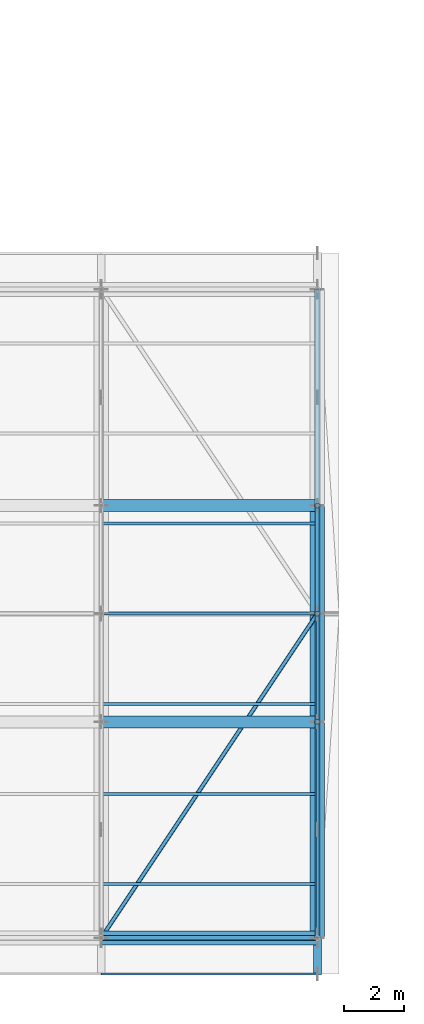
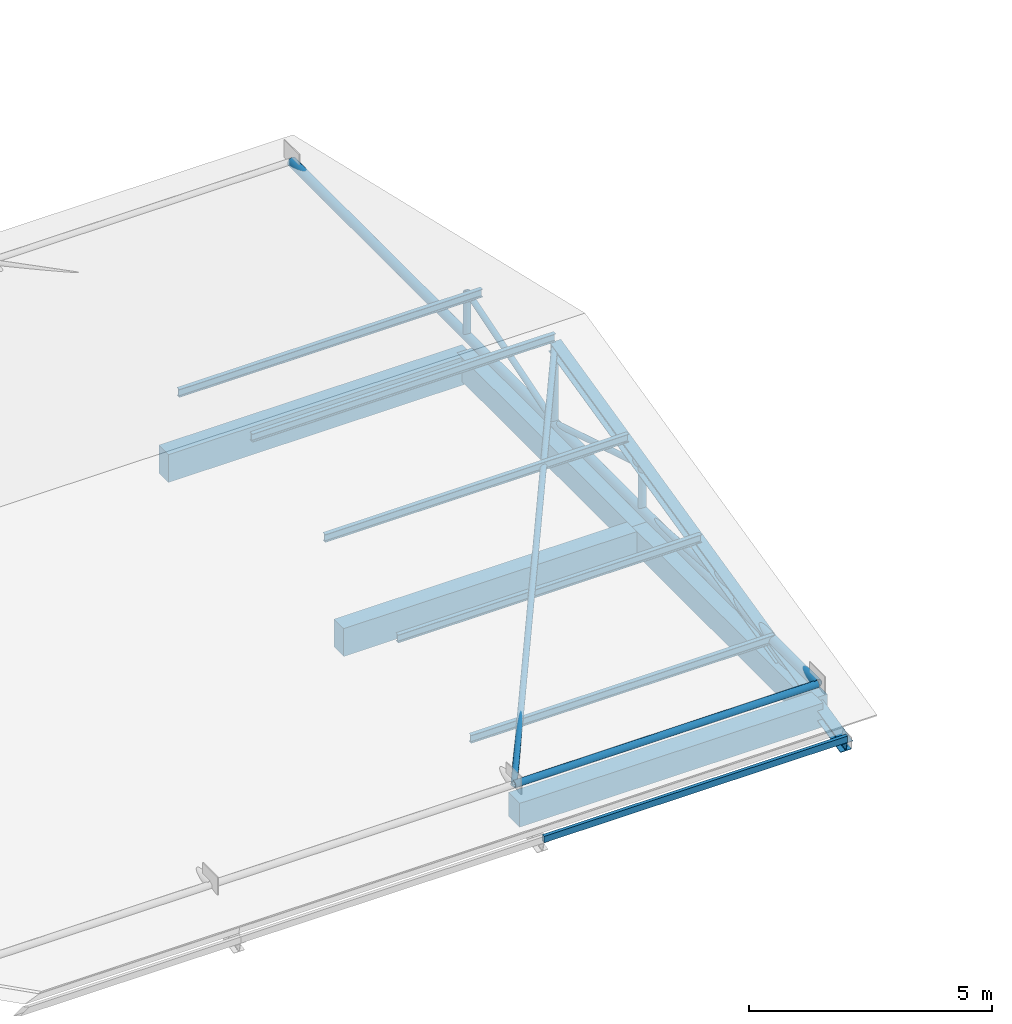
# One storey, part 20 of 84: 17 members, 5 beams.
"""IFC4 building model written with IfcOpenShell, lengths in metres."""

import ifcopenshell
import ifcopenshell.guid

model = None  # the IFC model being written
_history = None  # IfcOwnerHistory: only IFC2X3 demands one
_inside = {}  # id of a spatial element -> (the spatial element, [elements in it])
_under = {}  # id of a project, library or spatial element -> (it, [spatial elements below it])
_declared = {}  # id of a project -> (the project, [libraries it declares])
_typed = {}  # id of a type object -> (the type object, [elements of that type])
_made_of = {}  # id of a material, layer set ... -> (it, [elements and type objects made of it])


def new_model(schema):
    """Start an empty IFC model of exactly this schema.

    Asked for "IFC4X3", IfcOpenShell would pick the latest addendum, in which some entities
    have other attributes; the version numbers below select the first issue.
    IFC2X3 requires an IfcOwnerHistory on every rooted entity: one is made here for all.
    """
    global model, _history
    if schema == "IFC4X3":
        model = ifcopenshell.file(schema_version=(4, 3, 0, 0))
    else:
        model = ifcopenshell.file(schema=schema)
    _inside.clear()
    _under.clear()
    _declared.clear()
    _typed.clear()
    _made_of.clear()
    _history = None
    if model.schema == "IFC2X3":
        org = make("IfcOrganization", Name="unknown")
        user = make(
            "IfcPersonAndOrganization",
            ThePerson=make("IfcPerson", FamilyName="unknown"),
            TheOrganization=org,
        )
        app = make(
            "IfcApplication",
            ApplicationDeveloper=org,
            Version="unknown",
            ApplicationFullName="unknown",
            ApplicationIdentifier="unknown",
        )
        _history = make(
            "IfcOwnerHistory",
            OwningUser=user,
            OwningApplication=app,
            ChangeAction="ADDED",
            CreationDate=0,
        )
    return model


def make(cls, **values):
    """One entity of the class cls with the attributes given. An attribute that is None is left unset."""
    return model.create_entity(
        cls, **{name: value for name, value in values.items() if value is not None}
    )


def rooted(cls, **values):
    """An entity with a GlobalId (a new one), such as an element, a storey or a relation."""
    return make(cls, GlobalId=ifcopenshell.guid.new(), OwnerHistory=_history, **values)


def si_unit(unit_type, name, prefix=None):
    """IfcSIUnit, for example si_unit("LENGTHUNIT", "METRE", prefix="MILLI")."""
    return make("IfcSIUnit", UnitType=unit_type, Prefix=prefix, Name=name)


def assignment(units):
    """IfcUnitAssignment: the units of a project."""
    return None if units is None else make("IfcUnitAssignment", Units=units)


def point(xyz):
    """IfcCartesianPoint."""
    return None if xyz is None else make("IfcCartesianPoint", Coordinates=xyz)


def direction(xyz):
    """IfcDirection."""
    return None if xyz is None else make("IfcDirection", DirectionRatios=xyz)


def frame(location, z_axis=None, x_axis=None):
    """IfcAxis2Placement3D, a coordinate frame: its origin and axes. An axis left out is left unset."""
    return make(
        "IfcAxis2Placement3D",
        Location=point(location),
        Axis=direction(z_axis),
        RefDirection=direction(x_axis),
    )


def frame_2d(location, x_axis=None):
    """IfcAxis2Placement2D, a coordinate frame in the plane: its origin and x axis."""
    return make(
        "IfcAxis2Placement2D", Location=point(location), RefDirection=direction(x_axis)
    )


def origin():
    """The frame at (0, 0, 0) with its axes left unset."""
    return frame((0.0, 0.0, 0.0))


def origin_2d():
    """The frame at (0, 0) in the plane with its x axis left unset."""
    return frame_2d((0.0, 0.0))


def place(relative_to, where):
    """IfcLocalPlacement: puts the frame where relative to a parent placement (None: the world)."""
    return make(
        "IfcLocalPlacement", PlacementRelTo=relative_to, RelativePlacement=where
    )


def context(
    kind, dimensions, precision=None, world=None, true_north=None, identifier=None
):
    """IfcGeometricRepresentationContext, for example the 3D "Model" context."""
    return make(
        "IfcGeometricRepresentationContext",
        ContextIdentifier=identifier,
        ContextType=kind,
        CoordinateSpaceDimension=dimensions,
        Precision=precision,
        WorldCoordinateSystem=world,
        TrueNorth=true_north,
    )


def subcontext(parent, identifier, kind, view, scale=None):
    """IfcGeometricRepresentationSubContext, for example "Body" below "Model"."""
    return make(
        "IfcGeometricRepresentationSubContext",
        ContextIdentifier=identifier,
        ContextType=kind,
        ParentContext=parent,
        TargetScale=scale,
        TargetView=view,
    )


def project(units=None, contexts=None):
    """IfcProject with its units and contexts."""
    return rooted(
        "IfcProject",
        Name="project",
        RepresentationContexts=contexts,
        UnitsInContext=assignment(units),
    )


def spatial(cls, under=None, at=None, **own):
    """A site, building, storey or space (cls), placed at a placement, below another one or the project."""
    s = rooted(cls, ObjectPlacement=at, **own)
    if under is not None:
        _under.setdefault(under.id(), (under, []))[1].append(s)
    return s


def profile(cls, at=None, kind="AREA", **sizes):
    """A parametric profile (cls). Its sizes go by their IFC names, for example OverallWidth=200.0."""
    return make(cls, ProfileType=kind, Position=at, **sizes)


def rectangle(**sizes):
    """IfcRectangleProfileDef."""
    return profile("IfcRectangleProfileDef", **sizes)


def hollow_rectangle(**sizes):
    """IfcRectangleHollowProfileDef."""
    return profile("IfcRectangleHollowProfileDef", **sizes)


def hollow_circle(**sizes):
    """IfcCircleHollowProfileDef."""
    return profile("IfcCircleHollowProfileDef", **sizes)


def i_section(**sizes):
    """IfcIShapeProfileDef."""
    return profile("IfcIShapeProfileDef", **sizes)


def extrude(swept, where, along, depth):
    """IfcExtrudedAreaSolid: the profile swept, set in the frame where, extruded along a direction by depth."""
    return make(
        "IfcExtrudedAreaSolid",
        SweptArea=swept,
        Position=where,
        ExtrudedDirection=direction(along),
        Depth=depth,
    )


def shape(context_of_items, identifier, shape_type, items):
    """IfcShapeRepresentation: the items that make up one representation, for example the "Body"."""
    return make(
        "IfcShapeRepresentation",
        ContextOfItems=context_of_items,
        RepresentationIdentifier=identifier,
        RepresentationType=shape_type,
        Items=items,
    )


def material(Name=None, Category=None):
    """IfcMaterial."""
    return make("IfcMaterial", Name=Name, Category=Category)


def material_profile(
    of_material, cross_section, Name=None, Category=None, Priority=None
):
    """IfcMaterialProfile: a cross section and its material."""
    return make(
        "IfcMaterialProfile",
        Name=Name,
        Material=of_material,
        Profile=cross_section,
        Priority=Priority,
        Category=Category,
    )


def profile_set(profiles, Name=None, composite=None):
    """IfcMaterialProfileSet."""
    return make(
        "IfcMaterialProfileSet",
        Name=Name,
        MaterialProfiles=profiles,
        CompositeProfile=composite,
    )


def made_of(thing, what):
    """Note that an element or type object is made of a material, layer set ...; save() writes the relation."""
    if what is not None:
        _made_of.setdefault(what.id(), (what, []))[1].append(thing)
    return thing


def type_object(cls, material=None, **own):
    """A type object (cls), such as IfcWallType, which elements share."""
    return made_of(rooted(cls, **own), material)


def element(
    cls,
    number,
    at=None,
    inside=None,
    cuts=None,
    type_object=None,
    material=None,
    context=None,
    identifier="Body",
    shape_type=None,
    held_by="IfcProductDefinitionShape",
    body=None,
    shapes=None,
    **own,
):
    """One element of the class cls, such as IfcWall. Its Tag is "e" and its number.

    at: its placement. inside: the storey or other place that contains it. cuts: it is an
    opening in that element (IfcRelVoidsElement). A single representation is given by context,
    identifier, shape_type and body (its items); several are given by shapes. held_by: the class
    of the entity that holds the representations. save() writes the other relations.
    """
    e = rooted(cls, Tag="e%d" % number, ObjectPlacement=at, **own)
    if body is not None:
        shapes = [shape(context, identifier, shape_type, body)]
    if shapes is not None:
        e.Representation = make(held_by, Representations=shapes)
    if inside is not None:
        _inside.setdefault(inside.id(), (inside, []))[1].append(e)
    if cuts is not None:
        rooted(
            "IfcRelVoidsElement", RelatingBuildingElement=cuts, RelatedOpeningElement=e
        )
    if type_object is not None:
        _typed.setdefault(type_object.id(), (type_object, []))[1].append(e)
    return made_of(e, material)


def aggregate(whole, parts):
    """IfcRelAggregates: a whole, such as a stair, and the parts it consists of."""
    return rooted("IfcRelAggregates", RelatingObject=whole, RelatedObjects=parts)


def save(model, path):
    """Write the relations noted so far, then the file.

    IfcRelAggregates (storeys below a building ...), IfcRelContainedInSpatialStructure (elements
    in a storey), IfcRelDefinesByType, IfcRelAssociatesMaterial and IfcRelDeclares: one each for
    every whole, place, type object, material and project.
    """
    for whole, parts in _under.values():
        aggregate(whole, parts)
    for where, things in _inside.values():
        rooted(
            "IfcRelContainedInSpatialStructure",
            RelatedElements=things,
            RelatingStructure=where,
        )
    for kind, things in _typed.values():
        rooted("IfcRelDefinesByType", RelatedObjects=things, RelatingType=kind)
    for what, things in _made_of.values():
        rooted("IfcRelAssociatesMaterial", RelatedObjects=things, RelatingMaterial=what)
    for by, libraries in _declared.values():
        rooted("IfcRelDeclares", RelatingContext=by, RelatedDefinitions=libraries)
    model.write(path)


model = new_model("IFC4")

# Units and contexts
model_context = context("Model", 3, precision=1e-05, world=origin(), true_north=direction((0.0, 1.0)))
body_context = subcontext(model_context, "Body", "Model", "MODEL_VIEW")
ifc_project = project(units=[si_unit("LENGTHUNIT", "METRE"), si_unit("AREAUNIT", "SQUARE_METRE"), si_unit("VOLUMEUNIT", "CUBIC_METRE"), si_unit("PLANEANGLEUNIT", "RADIAN"), si_unit("MASSUNIT", "GRAM", prefix="KILO")], contexts=[model_context])

# Site, building, storey
site_placement = place(None, origin())
site = spatial("IfcSite", under=ifc_project, at=site_placement, CompositionType="ELEMENT")
building_placement = place(site_placement, origin())
building = spatial("IfcBuilding", under=site, at=building_placement, Name="Zornivar Specialist Clinic", CompositionType="ELEMENT")
storey_placement = place(building_placement, frame((0.0, 0.0, 12.300048828125)))
storey = spatial("IfcBuildingStorey", under=building, at=storey_placement, Name="L03", CompositionType="ELEMENT", Elevation=12.300048828125)

# Beams
ifc_material_1 = material(Name="Concrete C30/37", Category="concrete")
ifc_material_profile_1 = material_profile(ifc_material_1, rectangle(XDim=0.39990234375, YDim=0.699951171875, at=origin_2d()), Name="RC 400x700")
ifc_profile_set_1 = profile_set([ifc_material_profile_1], Name="Concrete C30/37")
beam_type_1 = type_object("IfcBeamType", Name="BM-RC-400x700", PredefinedType="BEAM", material=ifc_profile_set_1)
for number, where, z_axis, x_axis, name in (
    (1, (79.199951171875, 7.199951171875, -0.35009765625), (1.0, 0.0, 0.0), (0.0, 1.0, 0.0), "bm:V3:L03:x:72:3"),
    (2, (79.199951171875, 14.39990234375, -0.35009765625), (1.0, 0.0, 0.0), (0.0, 1.0, 0.0), "bm:V3:L03:x:144:3"),
):
    element("IfcBeam", number, at=place(storey_placement, frame(where, z_axis=z_axis, x_axis=x_axis)), inside=storey, type_object=beam_type_1, Name=name, PredefinedType="BEAM", context=body_context, shape_type="SweptSolid", body=[
        extrude(rectangle(XDim=0.39990234375, YDim=0.699951171875, at=origin_2d()), origin(), (0.0, 0.0, 1.0), 7.199951171875),
    ])
ifc_material_2 = material(Name="Concrete C30/37", Category="concrete")
ifc_material_profile_2 = material_profile(ifc_material_2, rectangle(XDim=0.47998046875, YDim=0.60009765625, at=origin_2d()), Name="RC 480x600")
ifc_profile_set_2 = profile_set([ifc_material_profile_2], Name="Concrete C30/37")
beam_type_2 = type_object("IfcBeamType", Name="BM-RC-480x600", PredefinedType="BEAM", material=ifc_profile_set_2)
for number, where, z_axis, x_axis, name in (
    (3, (86.39990234375, 0.0, -0.300048828125), (0.0, 1.0, 0.0), (-1.0, 0.0, 0.0), "bm:V3:L03:y:864:0"),
    (4, (86.39990234375, 7.199951171875, -0.300048828125), (0.0, 1.0, 0.0), (-1.0, 0.0, 0.0), "bm:V3:L03:y:864:1"),
):
    element("IfcBeam", number, at=place(storey_placement, frame(where, z_axis=z_axis, x_axis=x_axis)), inside=storey, type_object=beam_type_2, Name=name, PredefinedType="BEAM", context=body_context, shape_type="SweptSolid", body=[
        extrude(rectangle(XDim=0.47998046875, YDim=0.60009765625, at=origin_2d()), origin(), (0.0, 0.0, 1.0), 7.199951171875),
    ])
ifc_material_3 = material(Name="Concrete C30/37", Category="concrete")
ifc_material_profile_3 = material_profile(ifc_material_3, rectangle(XDim=0.4599609375, YDim=0.60009765625, at=origin_2d()), Name="RC 460x600")
ifc_profile_set_3 = profile_set([ifc_material_profile_3], Name="Concrete C30/37")
beam_type_3 = type_object("IfcBeamType", Name="BM-RC-SPANDREL-460x600", PredefinedType="SPANDREL", material=ifc_profile_set_3)
beam_placement = place(storey_placement, frame((79.199951171875, 0.0, -0.300048828125), z_axis=(1.0, 0.0, 0.0), x_axis=(0.0, 1.0, 0.0)))
element("IfcBeam", 5, at=beam_placement, inside=storey, type_object=beam_type_3, Name="bm:V3:L03:x:0:3", PredefinedType="SPANDREL", context=body_context, shape_type="SweptSolid", body=[
    extrude(rectangle(XDim=0.4599609375, YDim=0.60009765625, at=origin_2d()), origin(), (0.0, 0.0, 1.0), 7.199951171875),
])

# Members
ifc_material_4 = material(Name="Steel S355J2", Category="steel")
ifc_material_profile_4 = material_profile(ifc_material_4, hollow_circle(Radius=0.109619140625, WallThickness=0.012451171875, at=origin_2d()), Name="CHS 219.1x12.5")
ifc_profile_set_4 = profile_set([ifc_material_profile_4], Name="Steel S355J2")
member_type_1 = type_object("IfcMemberType", Name="MEM-CHORD-CHS219", PredefinedType="CHORD", material=ifc_profile_set_4)
member_1_placement = place(storey_placement, frame((86.39990234375, 0.0, 0.33984375), z_axis=(0.0, 1.0, 0.0), x_axis=(-1.0, 0.0, 0.0)))
element("IfcMember", 6, at=member_1_placement, inside=storey, type_object=member_type_1, Name="mem:V3:L03:bchord:4", PredefinedType="CHORD", context=body_context, shape_type="SweptSolid", body=[
    extrude(hollow_circle(Radius=0.109619140625, WallThickness=0.012451171875, at=origin_2d()), origin(), (0.0, 0.0, 1.0), 21.60009765625),
])
ifc_material_5 = material(Name="Steel S355J2", Category="steel")
ifc_material_profile_5 = material_profile(ifc_material_5, i_section(OverallWidth=0.260009765625, OverallDepth=0.25, WebThickness=0.007568359375, FlangeThickness=0.012451171875, FilletRadius=0.02392578125, at=origin_2d()), Name="HEA 260")
ifc_profile_set_5 = profile_set([ifc_material_profile_5], Name="Steel S355J2")
member_type_2 = type_object("IfcMemberType", Name="MEM-CHORD-HEA260", PredefinedType="CHORD", material=ifc_profile_set_5)
member_2_placement = place(storey_placement, frame((86.39990234375, -1.199951171875, -0.510009765625), z_axis=(0.0, 0.973840332876, 0.227233373571), x_axis=(-1.0, 0.0, 0.0)))
element("IfcMember", 7, at=member_2_placement, inside=storey, type_object=member_type_2, Name="mem:V3:L03:rafS:4", PredefinedType="CHORD", context=body_context, shape_type="SweptSolid", body=[
    extrude(i_section(OverallWidth=0.260009765625, OverallDepth=0.25, WebThickness=0.007568359375, FlangeThickness=0.012451171875, FilletRadius=0.02392578125, at=origin_2d()), origin(), (0.0, 0.0, 1.0), 12.322265625),
])
ifc_material_6 = material(Name="Steel S355J2", Category="steel")
ifc_material_profile_6 = material_profile(ifc_material_6, hollow_circle(Radius=0.06982421875, WallThickness=0.008056640625, at=origin_2d()), Name="CHS 139.7x8")
ifc_profile_set_6 = profile_set([ifc_material_profile_6], Name="Steel S355J2")
member_type_3 = type_object("IfcMemberType", Name="MEM-DIAG-CHS140", PredefinedType="BRACE", material=ifc_profile_set_6)
member_3_placement = place(storey_placement, frame((86.39990234375, 10.800048828125, 0.33984375), z_axis=(0.0, -0.955600885264, 0.29466412758), x_axis=(1.0, 0.0, 0.0)))
element("IfcMember", 8, at=member_3_placement, inside=storey, type_object=member_type_3, Name="mem:V3:L03:diag:4:S:0", PredefinedType="BRACE", context=body_context, shape_type="SweptSolid", body=[
    extrude(hollow_circle(Radius=0.06982421875, WallThickness=0.008056640625, at=origin_2d()), origin(), (0.0, 0.0, 1.0), 3.767333984375),
])
member_4_placement = place(storey_placement, frame((86.39990234375, 7.199951171875, 0.33984375), z_axis=(0.0, -0.997198679372, 0.074798354655), x_axis=(1.0, 0.0, 0.0)))
element("IfcMember", 9, at=member_4_placement, inside=storey, type_object=member_type_3, Name="mem:V3:L03:diag:4:S:1", PredefinedType="BRACE", context=body_context, shape_type="SweptSolid", body=[
    extrude(hollow_circle(Radius=0.06982421875, WallThickness=0.008056640625, at=origin_2d()), origin(), (0.0, 0.0, 1.0), 3.60986328125),
])
member_5_placement = place(storey_placement, frame((86.39990234375, 10.800048828125, 0.33984375), z_axis=(0.0, 0.955595258001, 0.294682376272), x_axis=(-1.0, 0.0, 0.0)))
element("IfcMember", 10, at=member_5_placement, inside=storey, type_object=member_type_3, Name="mem:V3:L03:diag:4:N:0", PredefinedType="BRACE", context=body_context, shape_type="SweptSolid", body=[
    extrude(hollow_circle(Radius=0.06982421875, WallThickness=0.008056640625, at=origin_2d()), origin(), (0.0, 0.0, 1.0), 3.76708984375),
])
ifc_material_7 = material(Name="Steel S355J2", Category="steel")
ifc_material_profile_7 = material_profile(ifc_material_7, hollow_circle(Radius=0.06982421875, WallThickness=0.010009765625, at=origin_2d()), Name="CHS 139.7x10")
ifc_profile_set_7 = profile_set([ifc_material_profile_7], Name="Steel S355J2")
member_type_4 = type_object("IfcMemberType", Name="MEM-DIAG-CHS140H", PredefinedType="BRACE", material=ifc_profile_set_7)
member_6_placement = place(storey_placement, frame((86.39990234375, 3.60009765625, 0.33984375), z_axis=(0.0, -0.987704241702, -0.156334036358), x_axis=(1.0, 0.0, 0.0)))
element("IfcMember", 11, at=member_6_placement, inside=storey, type_object=member_type_4, Name="mem:V3:L03:diag:4:S:2", PredefinedType="BRACE", context=body_context, shape_type="SweptSolid", body=[
    extrude(hollow_circle(Radius=0.06982421875, WallThickness=0.010009765625, at=origin_2d()), origin(), (0.0, 0.0, 1.0), 3.64501953125),
])
ifc_material_8 = material(Name="Steel S355J2", Category="steel")
ifc_material_profile_8 = material_profile(ifc_material_8, hollow_rectangle(XDim=0.080078125, YDim=0.159912109375, WallThickness=0.008056640625, at=origin_2d()), Name="RHS 160x80x8")
ifc_profile_set_8 = profile_set([ifc_material_profile_8], Name="Steel S355J2")
member_type_5 = type_object("IfcMemberType", Name="MEM-EAVE-RHS160", PredefinedType="USERDEFINED", material=ifc_profile_set_8)
member_7_placement = place(storey_placement, frame((79.199951171875, -1.199951171875, -0.296142578125), z_axis=(1.0, 0.0, 0.0), x_axis=(0.0, 1.0, 0.0)))
element("IfcMember", 12, at=member_7_placement, inside=storey, type_object=member_type_5, Name="mem:V3:L03:purl:3:00", ObjectType="EAVE RAFTER", PredefinedType="USERDEFINED", context=body_context, shape_type="SweptSolid", body=[
    extrude(hollow_rectangle(XDim=0.080078125, YDim=0.159912109375, WallThickness=0.008056640625, at=origin_2d()), origin(), (0.0, 0.0, 1.0), 7.199951171875),
])
ifc_material_9 = material(Name="Steel S355J2", Category="steel")
ifc_material_profile_9 = material_profile(ifc_material_9, hollow_circle(Radius=0.084228515625, WallThickness=0.012451171875, at=origin_2d()), Name="CHS 168.3x12.5")
ifc_profile_set_9 = profile_set([ifc_material_profile_9], Name="Steel S355J2")
member_type_6 = type_object("IfcMemberType", Name="MEM-KING-CHS168H", PredefinedType="STRUT", material=ifc_profile_set_9)
member_8_placement = place(storey_placement, frame((86.39990234375, 10.800048828125, 0.33984375), z_axis=(0.0, 0.0, 1.0), x_axis=(1.0, 0.0, 0.0)))
element("IfcMember", 13, at=member_8_placement, inside=storey, type_object=member_type_6, Name="mem:V3:L03:king:4", PredefinedType="STRUT", context=body_context, shape_type="SweptSolid", body=[
    extrude(hollow_circle(Radius=0.084228515625, WallThickness=0.012451171875, at=origin_2d()), origin(), (0.0, 0.0, 1.0), 1.9501953125),
])
ifc_material_10 = material(Name="Steel S355J2", Category="steel")
ifc_material_profile_10 = material_profile(ifc_material_10, i_section(OverallWidth=0.10009765625, OverallDepth=0.199951171875, WebThickness=0.005615234375, FlangeThickness=0.008544921875, FilletRadius=0.011962890625, at=origin_2d()), Name="IPE 200")
ifc_profile_set_10 = profile_set([ifc_material_profile_10], Name="Steel S355J2")
member_type_7 = type_object("IfcMemberType", Name="MEM-PURLIN-IPE200", PredefinedType="PURLIN", material=ifc_profile_set_10)
for number, where, z_axis, x_axis, name in (
    (14, (79.199951171875, 1.800048828125, 0.404052734375), (1.0, 0.0, 0.0), (0.0, 1.0, 0.0), "mem:V3:L03:purl:3:01"),
    (15, (79.199951171875, 4.800048828125, 1.10400390625), (1.0, 0.0, 0.0), (0.0, 1.0, 0.0), "mem:V3:L03:purl:3:02"),
    (16, (79.199951171875, 7.800048828125, 1.803955078125), (1.0, 0.0, 0.0), (0.0, 1.0, 0.0), "mem:V3:L03:purl:3:03"),
    (17, (79.199951171875, 10.800048828125, 2.50390625), (1.0, 0.0, 0.0), (0.0, 1.0, 0.0), "mem:V3:L03:purl:3:04"),
    (18, (79.199951171875, 13.800048828125, 1.803955078125), (1.0, 0.0, 0.0), (0.0, 1.0, 0.0), "mem:V3:L03:purl:3:05"),
):
    element("IfcMember", number, at=place(storey_placement, frame(where, z_axis=z_axis, x_axis=x_axis)), inside=storey, type_object=member_type_7, Name=name, PredefinedType="PURLIN", context=body_context, shape_type="SweptSolid", body=[
        extrude(i_section(OverallWidth=0.10009765625, OverallDepth=0.199951171875, WebThickness=0.005615234375, FlangeThickness=0.008544921875, FilletRadius=0.011962890625, at=origin_2d()), origin(), (0.0, 0.0, 1.0), 7.199951171875),
    ])
ifc_material_11 = material(Name="Steel S355J2", Category="steel")
ifc_material_profile_11 = material_profile(ifc_material_11, hollow_circle(Radius=0.084228515625, WallThickness=0.010009765625, at=origin_2d()), Name="CHS 168.3x10")
ifc_profile_set_11 = profile_set([ifc_material_profile_11], Name="Steel S355J2")
member_type_8 = type_object("IfcMemberType", Name="MEM-STRUT-CHS168", PredefinedType="STRUT", material=ifc_profile_set_11)
for number, where, z_axis, x_axis, name in (
    (19, (86.39990234375, 7.199951171875, 0.33984375), (0.0, 0.0, 1.0), (1.0, 0.0, 0.0), "mem:V3:L03:vert:4:S:1"),
    (20, (86.39990234375, 14.39990234375, 0.33984375), (0.0, 0.0, 1.0), (1.0, 0.0, 0.0), "mem:V3:L03:vert:4:N:1"),
):
    element("IfcMember", number, at=place(storey_placement, frame(where, z_axis=z_axis, x_axis=x_axis)), inside=storey, type_object=member_type_8, Name=name, PredefinedType="STRUT", context=body_context, shape_type="SweptSolid", body=[
        extrude(hollow_circle(Radius=0.084228515625, WallThickness=0.010009765625, at=origin_2d()), origin(), (0.0, 0.0, 1.0), 1.110107421875),
    ])
member_9_placement = place(storey_placement, frame((79.199951171875, 0.0, 0.33984375), z_axis=(1.0, 0.0, 0.0), x_axis=(0.0, 1.0, 0.0)))
element("IfcMember", 21, at=member_9_placement, inside=storey, type_object=member_type_8, Name="mem:V3:L03:ltieS:3", PredefinedType="STRUT", context=body_context, shape_type="SweptSolid", body=[
    extrude(hollow_circle(Radius=0.084228515625, WallThickness=0.010009765625, at=origin_2d()), origin(), (0.0, 0.0, 1.0), 7.199951171875),
])
ifc_material_12 = material(Name="Steel S355J2", Category="steel")
ifc_material_profile_12 = material_profile(ifc_material_12, hollow_circle(Radius=0.06982421875, WallThickness=0.008056640625, at=origin_2d()), Name="CHS 139.7x8")
ifc_profile_set_12 = profile_set([ifc_material_profile_12], Name="Steel S355J2")
member_type_9 = type_object("IfcMemberType", Name="MEM-WIND-CHS140", PredefinedType="BRACE", material=ifc_profile_set_12)
member_10_placement = place(storey_placement, frame((79.199951171875, 0.0, 0.33984375), z_axis=(0.548539069303, 0.822817904064, 0.14857855229), x_axis=(-0.832053188017, 0.554695855682, 0.0)))
element("IfcMember", 22, at=member_10_placement, inside=storey, type_object=member_type_9, Name="mem:V3:L03:wbraceS:3", PredefinedType="BRACE", context=body_context, shape_type="SweptSolid", body=[
    extrude(hollow_circle(Radius=0.06982421875, WallThickness=0.008056640625, at=origin_2d()), origin(), (0.0, 0.0, 1.0), 13.125732421875),
])

save(model, "model.ifc")
